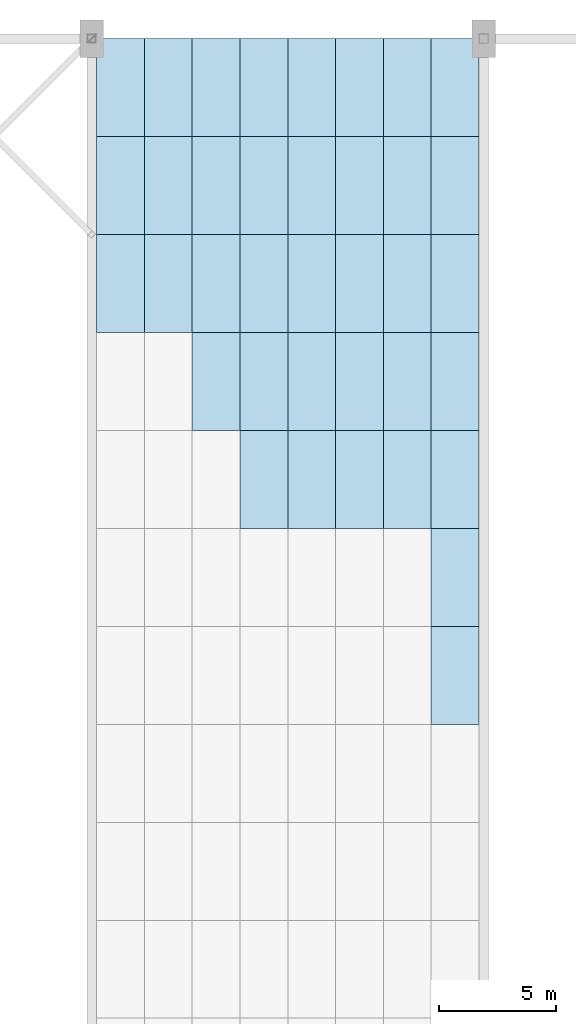
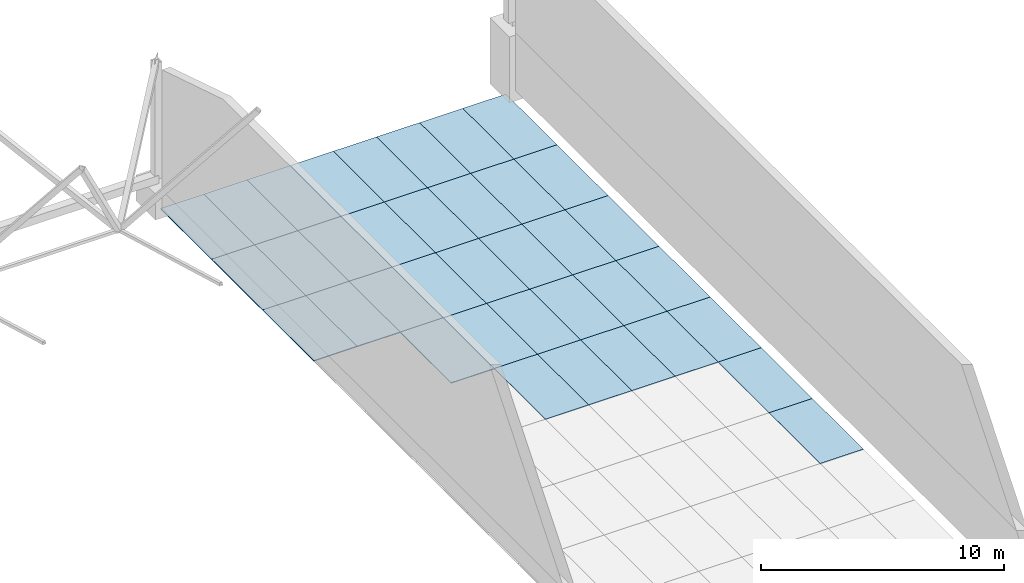
# One storey, part 103 of 163: 37 slabs.
"""IFC4 building model written with IfcOpenShell, lengths in metres."""

from ifc_helpers import new_model, si_unit, direction, frame, origin, place, context, subcontext, project, spatial, polyline, outline, extrude, material, layer, layer_set, type_object, element, save


model = new_model("IFC4")

# Units and contexts
model_context = context("Model", 3, precision=1e-05, world=origin(), true_north=direction((0.0, 1.0)))
body_context = subcontext(model_context, "Body", "Model", "MODEL_VIEW")
ifc_project = project(units=[si_unit("LENGTHUNIT", "METRE"), si_unit("AREAUNIT", "SQUARE_METRE"), si_unit("VOLUMEUNIT", "CUBIC_METRE"), si_unit("PLANEANGLEUNIT", "RADIAN"), si_unit("MASSUNIT", "GRAM", prefix="KILO")], contexts=[model_context])

# Site, building, storey
site_placement = place(None, origin())
site = spatial("IfcSite", under=ifc_project, at=site_placement, CompositionType="ELEMENT")
building_placement = place(site_placement, origin())
building = spatial("IfcBuilding", under=site, at=building_placement, Name="Rain Tree Exposition and Congress Centre", CompositionType="ELEMENT")
storey_placement = place(building_placement, frame((0.0, 0.0, 10.5)))
storey = spatial("IfcBuildingStorey", under=building, at=storey_placement, Name="L02", CompositionType="ELEMENT", Elevation=10.5)

# Slabs
ifc_material = material(Name="Glazing in S355 steel frame, S355J2H tubes", Category="steel")
ifc_layer = layer(ifc_material, 0.0400390625)
ifc_layer_set = layer_set([ifc_layer], Name="Glazing in S355 steel frame, S355J2H tubes")
slab_type = type_object("IfcSlabType", Name="Link roof glass panel 40", PredefinedType="ROOF", material=ifc_layer_set)
slab_1_placement = place(storey_placement, frame((0.0, 0.0, -0.185791015625)))
element("IfcSlab", 1, at=slab_1_placement, inside=storey, type_object=slab_type, Name="Link roof glass panel 144", PredefinedType="ROOF", context=body_context, shape_type="SweptSolid", body=[
    extrude(outline(polyline([(140.550048828125, 172.199951171875), (142.60009765625, 172.199951171875), (142.60009765625, 176.39990234375), (140.550048828125, 176.39990234375), (140.550048828125, 172.199951171875)])), origin(), (0.0, 0.0, 1.0), 0.0400390625),
])
slab_2_placement = place(storey_placement, frame((0.0, 0.0, -0.185791015625)))
element("IfcSlab", 2, at=slab_2_placement, inside=storey, type_object=slab_type, Name="Link roof glass panel 152", PredefinedType="ROOF", context=body_context, shape_type="SweptSolid", body=[
    extrude(outline(polyline([(140.550048828125, 176.39990234375), (142.60009765625, 176.39990234375), (142.60009765625, 180.60009765625), (140.550048828125, 180.60009765625), (140.550048828125, 176.39990234375)])), origin(), (0.0, 0.0, 1.0), 0.0400390625),
])
slab_3_placement = place(storey_placement, frame((0.0, 0.0, -0.185791015625)))
element("IfcSlab", 3, at=slab_3_placement, inside=storey, type_object=slab_type, Name="Link roof glass panel 156", PredefinedType="ROOF", context=body_context, shape_type="SweptSolid", body=[
    extrude(outline(polyline([(132.35009765625, 180.60009765625), (134.39990234375, 180.60009765625), (134.39990234375, 184.800048828125), (132.35009765625, 184.800048828125), (132.35009765625, 180.60009765625)])), origin(), (0.0, 0.0, 1.0), 0.0400390625),
])
slab_4_placement = place(storey_placement, frame((0.0, 0.0, -0.185791015625)))
element("IfcSlab", 4, at=slab_4_placement, inside=storey, type_object=slab_type, Name="Link roof glass panel 157", PredefinedType="ROOF", context=body_context, shape_type="SweptSolid", body=[
    extrude(outline(polyline([(134.39990234375, 180.60009765625), (136.449951171875, 180.60009765625), (136.449951171875, 184.800048828125), (134.39990234375, 184.800048828125), (134.39990234375, 180.60009765625)])), origin(), (0.0, 0.0, 1.0), 0.0400390625),
])
slab_5_placement = place(storey_placement, frame((0.0, 0.0, -0.185791015625)))
element("IfcSlab", 5, at=slab_5_placement, inside=storey, type_object=slab_type, Name="Link roof glass panel 158", PredefinedType="ROOF", context=body_context, shape_type="SweptSolid", body=[
    extrude(outline(polyline([(136.449951171875, 180.60009765625), (138.5, 180.60009765625), (138.5, 184.800048828125), (136.449951171875, 184.800048828125), (136.449951171875, 180.60009765625)])), origin(), (0.0, 0.0, 1.0), 0.0400390625),
])
slab_6_placement = place(storey_placement, frame((0.0, 0.0, -0.185791015625)))
element("IfcSlab", 6, at=slab_6_placement, inside=storey, type_object=slab_type, Name="Link roof glass panel 159", PredefinedType="ROOF", context=body_context, shape_type="SweptSolid", body=[
    extrude(outline(polyline([(138.5, 180.60009765625), (140.550048828125, 180.60009765625), (140.550048828125, 184.800048828125), (138.5, 184.800048828125), (138.5, 180.60009765625)])), origin(), (0.0, 0.0, 1.0), 0.0400390625),
])
slab_7_placement = place(storey_placement, frame((0.0, 0.0, -0.185791015625)))
element("IfcSlab", 7, at=slab_7_placement, inside=storey, type_object=slab_type, Name="Link roof glass panel 160", PredefinedType="ROOF", context=body_context, shape_type="SweptSolid", body=[
    extrude(outline(polyline([(140.550048828125, 180.60009765625), (142.60009765625, 180.60009765625), (142.60009765625, 184.800048828125), (140.550048828125, 184.800048828125), (140.550048828125, 180.60009765625)])), origin(), (0.0, 0.0, 1.0), 0.0400390625),
])
slab_8_placement = place(storey_placement, frame((0.0, 0.0, -0.185791015625)))
element("IfcSlab", 8, at=slab_8_placement, inside=storey, type_object=slab_type, Name="Link roof glass panel 163", PredefinedType="ROOF", context=body_context, shape_type="SweptSolid", body=[
    extrude(outline(polyline([(130.300048828125, 184.800048828125), (132.35009765625, 184.800048828125), (132.35009765625, 189.0), (130.300048828125, 189.0), (130.300048828125, 184.800048828125)])), origin(), (0.0, 0.0, 1.0), 0.0400390625),
])
slab_9_placement = place(storey_placement, frame((0.0, 0.0, -0.185791015625)))
element("IfcSlab", 9, at=slab_9_placement, inside=storey, type_object=slab_type, Name="Link roof glass panel 164", PredefinedType="ROOF", context=body_context, shape_type="SweptSolid", body=[
    extrude(outline(polyline([(132.35009765625, 184.800048828125), (134.39990234375, 184.800048828125), (134.39990234375, 189.0), (132.35009765625, 189.0), (132.35009765625, 184.800048828125)])), origin(), (0.0, 0.0, 1.0), 0.0400390625),
])
slab_10_placement = place(storey_placement, frame((0.0, 0.0, -0.185791015625)))
element("IfcSlab", 10, at=slab_10_placement, inside=storey, type_object=slab_type, Name="Link roof glass panel 165", PredefinedType="ROOF", context=body_context, shape_type="SweptSolid", body=[
    extrude(outline(polyline([(134.39990234375, 184.800048828125), (136.449951171875, 184.800048828125), (136.449951171875, 189.0), (134.39990234375, 189.0), (134.39990234375, 184.800048828125)])), origin(), (0.0, 0.0, 1.0), 0.0400390625),
])
slab_11_placement = place(storey_placement, frame((0.0, 0.0, -0.185791015625)))
element("IfcSlab", 11, at=slab_11_placement, inside=storey, type_object=slab_type, Name="Link roof glass panel 166", PredefinedType="ROOF", context=body_context, shape_type="SweptSolid", body=[
    extrude(outline(polyline([(136.449951171875, 184.800048828125), (138.5, 184.800048828125), (138.5, 189.0), (136.449951171875, 189.0), (136.449951171875, 184.800048828125)])), origin(), (0.0, 0.0, 1.0), 0.0400390625),
])
slab_12_placement = place(storey_placement, frame((0.0, 0.0, -0.185791015625)))
element("IfcSlab", 12, at=slab_12_placement, inside=storey, type_object=slab_type, Name="Link roof glass panel 167", PredefinedType="ROOF", context=body_context, shape_type="SweptSolid", body=[
    extrude(outline(polyline([(138.5, 184.800048828125), (140.550048828125, 184.800048828125), (140.550048828125, 189.0), (138.5, 189.0), (138.5, 184.800048828125)])), origin(), (0.0, 0.0, 1.0), 0.0400390625),
])
slab_13_placement = place(storey_placement, frame((0.0, 0.0, -0.185791015625)))
element("IfcSlab", 13, at=slab_13_placement, inside=storey, type_object=slab_type, Name="Link roof glass panel 168", PredefinedType="ROOF", context=body_context, shape_type="SweptSolid", body=[
    extrude(outline(polyline([(140.550048828125, 184.800048828125), (142.60009765625, 184.800048828125), (142.60009765625, 189.0), (140.550048828125, 189.0), (140.550048828125, 184.800048828125)])), origin(), (0.0, 0.0, 1.0), 0.0400390625),
])
slab_14_placement = place(storey_placement, frame((0.0, 0.0, -0.185791015625)))
element("IfcSlab", 14, at=slab_14_placement, inside=storey, type_object=slab_type, Name="Link roof glass panel 169", PredefinedType="ROOF", context=body_context, shape_type="SweptSolid", body=[
    extrude(outline(polyline([(126.199951171875, 189.0), (128.25, 189.0), (128.25, 193.199951171875), (126.199951171875, 193.199951171875), (126.199951171875, 189.0)])), origin(), (0.0, 0.0, 1.0), 0.0400390625),
])
slab_15_placement = place(storey_placement, frame((0.0, 0.0, -0.185791015625)))
element("IfcSlab", 15, at=slab_15_placement, inside=storey, type_object=slab_type, Name="Link roof glass panel 170", PredefinedType="ROOF", context=body_context, shape_type="SweptSolid", body=[
    extrude(outline(polyline([(128.25, 189.0), (130.300048828125, 189.0), (130.300048828125, 193.199951171875), (128.25, 193.199951171875), (128.25, 189.0)])), origin(), (0.0, 0.0, 1.0), 0.0400390625),
])
slab_16_placement = place(storey_placement, frame((0.0, 0.0, -0.185791015625)))
element("IfcSlab", 16, at=slab_16_placement, inside=storey, type_object=slab_type, Name="Link roof glass panel 171", PredefinedType="ROOF", context=body_context, shape_type="SweptSolid", body=[
    extrude(outline(polyline([(130.300048828125, 189.0), (132.35009765625, 189.0), (132.35009765625, 193.199951171875), (130.300048828125, 193.199951171875), (130.300048828125, 189.0)])), origin(), (0.0, 0.0, 1.0), 0.0400390625),
])
slab_17_placement = place(storey_placement, frame((0.0, 0.0, -0.185791015625)))
element("IfcSlab", 17, at=slab_17_placement, inside=storey, type_object=slab_type, Name="Link roof glass panel 172", PredefinedType="ROOF", context=body_context, shape_type="SweptSolid", body=[
    extrude(outline(polyline([(132.35009765625, 189.0), (134.39990234375, 189.0), (134.39990234375, 193.199951171875), (132.35009765625, 193.199951171875), (132.35009765625, 189.0)])), origin(), (0.0, 0.0, 1.0), 0.0400390625),
])
slab_18_placement = place(storey_placement, frame((0.0, 0.0, -0.185791015625)))
element("IfcSlab", 18, at=slab_18_placement, inside=storey, type_object=slab_type, Name="Link roof glass panel 173", PredefinedType="ROOF", context=body_context, shape_type="SweptSolid", body=[
    extrude(outline(polyline([(134.39990234375, 189.0), (136.449951171875, 189.0), (136.449951171875, 193.199951171875), (134.39990234375, 193.199951171875), (134.39990234375, 189.0)])), origin(), (0.0, 0.0, 1.0), 0.0400390625),
])
slab_19_placement = place(storey_placement, frame((0.0, 0.0, -0.185791015625)))
element("IfcSlab", 19, at=slab_19_placement, inside=storey, type_object=slab_type, Name="Link roof glass panel 174", PredefinedType="ROOF", context=body_context, shape_type="SweptSolid", body=[
    extrude(outline(polyline([(136.449951171875, 189.0), (138.5, 189.0), (138.5, 193.199951171875), (136.449951171875, 193.199951171875), (136.449951171875, 189.0)])), origin(), (0.0, 0.0, 1.0), 0.0400390625),
])
slab_20_placement = place(storey_placement, frame((0.0, 0.0, -0.185791015625)))
element("IfcSlab", 20, at=slab_20_placement, inside=storey, type_object=slab_type, Name="Link roof glass panel 175", PredefinedType="ROOF", context=body_context, shape_type="SweptSolid", body=[
    extrude(outline(polyline([(138.5, 189.0), (140.550048828125, 189.0), (140.550048828125, 193.199951171875), (138.5, 193.199951171875), (138.5, 189.0)])), origin(), (0.0, 0.0, 1.0), 0.0400390625),
])
slab_21_placement = place(storey_placement, frame((0.0, 0.0, -0.185791015625)))
element("IfcSlab", 21, at=slab_21_placement, inside=storey, type_object=slab_type, Name="Link roof glass panel 176", PredefinedType="ROOF", context=body_context, shape_type="SweptSolid", body=[
    extrude(outline(polyline([(140.550048828125, 189.0), (142.60009765625, 189.0), (142.60009765625, 193.199951171875), (140.550048828125, 193.199951171875), (140.550048828125, 189.0)])), origin(), (0.0, 0.0, 1.0), 0.0400390625),
])
slab_22_placement = place(storey_placement, frame((0.0, 0.0, -0.185791015625)))
element("IfcSlab", 22, at=slab_22_placement, inside=storey, type_object=slab_type, Name="Link roof glass panel 177", PredefinedType="ROOF", context=body_context, shape_type="SweptSolid", body=[
    extrude(outline(polyline([(126.199951171875, 193.199951171875), (128.25, 193.199951171875), (128.25, 197.39990234375), (126.199951171875, 197.39990234375), (126.199951171875, 193.199951171875)])), origin(), (0.0, 0.0, 1.0), 0.0400390625),
])
slab_23_placement = place(storey_placement, frame((0.0, 0.0, -0.185791015625)))
element("IfcSlab", 23, at=slab_23_placement, inside=storey, type_object=slab_type, Name="Link roof glass panel 178", PredefinedType="ROOF", context=body_context, shape_type="SweptSolid", body=[
    extrude(outline(polyline([(128.25, 193.199951171875), (130.300048828125, 193.199951171875), (130.300048828125, 197.39990234375), (128.25, 197.39990234375), (128.25, 193.199951171875)])), origin(), (0.0, 0.0, 1.0), 0.0400390625),
])
slab_24_placement = place(storey_placement, frame((0.0, 0.0, -0.185791015625)))
element("IfcSlab", 24, at=slab_24_placement, inside=storey, type_object=slab_type, Name="Link roof glass panel 179", PredefinedType="ROOF", context=body_context, shape_type="SweptSolid", body=[
    extrude(outline(polyline([(130.300048828125, 193.199951171875), (132.35009765625, 193.199951171875), (132.35009765625, 197.39990234375), (130.300048828125, 197.39990234375), (130.300048828125, 193.199951171875)])), origin(), (0.0, 0.0, 1.0), 0.0400390625),
])
slab_25_placement = place(storey_placement, frame((0.0, 0.0, -0.185791015625)))
element("IfcSlab", 25, at=slab_25_placement, inside=storey, type_object=slab_type, Name="Link roof glass panel 180", PredefinedType="ROOF", context=body_context, shape_type="SweptSolid", body=[
    extrude(outline(polyline([(132.35009765625, 193.199951171875), (134.39990234375, 193.199951171875), (134.39990234375, 197.39990234375), (132.35009765625, 197.39990234375), (132.35009765625, 193.199951171875)])), origin(), (0.0, 0.0, 1.0), 0.0400390625),
])
slab_26_placement = place(storey_placement, frame((0.0, 0.0, -0.185791015625)))
element("IfcSlab", 26, at=slab_26_placement, inside=storey, type_object=slab_type, Name="Link roof glass panel 181", PredefinedType="ROOF", context=body_context, shape_type="SweptSolid", body=[
    extrude(outline(polyline([(134.39990234375, 193.199951171875), (136.449951171875, 193.199951171875), (136.449951171875, 197.39990234375), (134.39990234375, 197.39990234375), (134.39990234375, 193.199951171875)])), origin(), (0.0, 0.0, 1.0), 0.0400390625),
])
slab_27_placement = place(storey_placement, frame((0.0, 0.0, -0.185791015625)))
element("IfcSlab", 27, at=slab_27_placement, inside=storey, type_object=slab_type, Name="Link roof glass panel 182", PredefinedType="ROOF", context=body_context, shape_type="SweptSolid", body=[
    extrude(outline(polyline([(136.449951171875, 193.199951171875), (138.5, 193.199951171875), (138.5, 197.39990234375), (136.449951171875, 197.39990234375), (136.449951171875, 193.199951171875)])), origin(), (0.0, 0.0, 1.0), 0.0400390625),
])
slab_28_placement = place(storey_placement, frame((0.0, 0.0, -0.185791015625)))
element("IfcSlab", 28, at=slab_28_placement, inside=storey, type_object=slab_type, Name="Link roof glass panel 183", PredefinedType="ROOF", context=body_context, shape_type="SweptSolid", body=[
    extrude(outline(polyline([(138.5, 193.199951171875), (140.550048828125, 193.199951171875), (140.550048828125, 197.39990234375), (138.5, 197.39990234375), (138.5, 193.199951171875)])), origin(), (0.0, 0.0, 1.0), 0.0400390625),
])
slab_29_placement = place(storey_placement, frame((0.0, 0.0, -0.185791015625)))
element("IfcSlab", 29, at=slab_29_placement, inside=storey, type_object=slab_type, Name="Link roof glass panel 184", PredefinedType="ROOF", context=body_context, shape_type="SweptSolid", body=[
    extrude(outline(polyline([(140.550048828125, 193.199951171875), (142.60009765625, 193.199951171875), (142.60009765625, 197.39990234375), (140.550048828125, 197.39990234375), (140.550048828125, 193.199951171875)])), origin(), (0.0, 0.0, 1.0), 0.0400390625),
])
slab_30_placement = place(storey_placement, frame((0.0, 0.0, -0.185791015625)))
element("IfcSlab", 30, at=slab_30_placement, inside=storey, type_object=slab_type, Name="Link roof glass panel 185", PredefinedType="ROOF", context=body_context, shape_type="SweptSolid", body=[
    extrude(outline(polyline([(126.199951171875, 197.39990234375), (128.25, 197.39990234375), (128.25, 201.60009765625), (126.199951171875, 201.60009765625), (126.199951171875, 197.39990234375)])), origin(), (0.0, 0.0, 1.0), 0.0400390625),
])
slab_31_placement = place(storey_placement, frame((0.0, 0.0, -0.185791015625)))
element("IfcSlab", 31, at=slab_31_placement, inside=storey, type_object=slab_type, Name="Link roof glass panel 186", PredefinedType="ROOF", context=body_context, shape_type="SweptSolid", body=[
    extrude(outline(polyline([(128.25, 197.39990234375), (130.300048828125, 197.39990234375), (130.300048828125, 201.60009765625), (128.25, 201.60009765625), (128.25, 197.39990234375)])), origin(), (0.0, 0.0, 1.0), 0.0400390625),
])
slab_32_placement = place(storey_placement, frame((0.0, 0.0, -0.185791015625)))
element("IfcSlab", 32, at=slab_32_placement, inside=storey, type_object=slab_type, Name="Link roof glass panel 187", PredefinedType="ROOF", context=body_context, shape_type="SweptSolid", body=[
    extrude(outline(polyline([(130.300048828125, 197.39990234375), (132.35009765625, 197.39990234375), (132.35009765625, 201.60009765625), (130.300048828125, 201.60009765625), (130.300048828125, 197.39990234375)])), origin(), (0.0, 0.0, 1.0), 0.0400390625),
])
slab_33_placement = place(storey_placement, frame((0.0, 0.0, -0.185791015625)))
element("IfcSlab", 33, at=slab_33_placement, inside=storey, type_object=slab_type, Name="Link roof glass panel 188", PredefinedType="ROOF", context=body_context, shape_type="SweptSolid", body=[
    extrude(outline(polyline([(132.35009765625, 197.39990234375), (134.39990234375, 197.39990234375), (134.39990234375, 201.60009765625), (132.35009765625, 201.60009765625), (132.35009765625, 197.39990234375)])), origin(), (0.0, 0.0, 1.0), 0.0400390625),
])
slab_34_placement = place(storey_placement, frame((0.0, 0.0, -0.185791015625)))
element("IfcSlab", 34, at=slab_34_placement, inside=storey, type_object=slab_type, Name="Link roof glass panel 189", PredefinedType="ROOF", context=body_context, shape_type="SweptSolid", body=[
    extrude(outline(polyline([(134.39990234375, 197.39990234375), (136.449951171875, 197.39990234375), (136.449951171875, 201.60009765625), (134.39990234375, 201.60009765625), (134.39990234375, 197.39990234375)])), origin(), (0.0, 0.0, 1.0), 0.0400390625),
])
slab_35_placement = place(storey_placement, frame((0.0, 0.0, -0.185791015625)))
element("IfcSlab", 35, at=slab_35_placement, inside=storey, type_object=slab_type, Name="Link roof glass panel 190", PredefinedType="ROOF", context=body_context, shape_type="SweptSolid", body=[
    extrude(outline(polyline([(136.449951171875, 197.39990234375), (138.5, 197.39990234375), (138.5, 201.60009765625), (136.449951171875, 201.60009765625), (136.449951171875, 197.39990234375)])), origin(), (0.0, 0.0, 1.0), 0.0400390625),
])
slab_36_placement = place(storey_placement, frame((0.0, 0.0, -0.185791015625)))
element("IfcSlab", 36, at=slab_36_placement, inside=storey, type_object=slab_type, Name="Link roof glass panel 191", PredefinedType="ROOF", context=body_context, shape_type="SweptSolid", body=[
    extrude(outline(polyline([(138.5, 197.39990234375), (140.550048828125, 197.39990234375), (140.550048828125, 201.60009765625), (138.5, 201.60009765625), (138.5, 197.39990234375)])), origin(), (0.0, 0.0, 1.0), 0.0400390625),
])
slab_37_placement = place(storey_placement, frame((0.0, 0.0, -0.185791015625)))
element("IfcSlab", 37, at=slab_37_placement, inside=storey, type_object=slab_type, Name="Link roof glass panel 192", PredefinedType="ROOF", context=body_context, shape_type="SweptSolid", body=[
    extrude(outline(polyline([(140.550048828125, 197.39990234375), (142.60009765625, 197.39990234375), (142.60009765625, 201.60009765625), (140.550048828125, 201.60009765625), (140.550048828125, 197.39990234375)])), origin(), (0.0, 0.0, 1.0), 0.0400390625),
])

save(model, "model.ifc")
